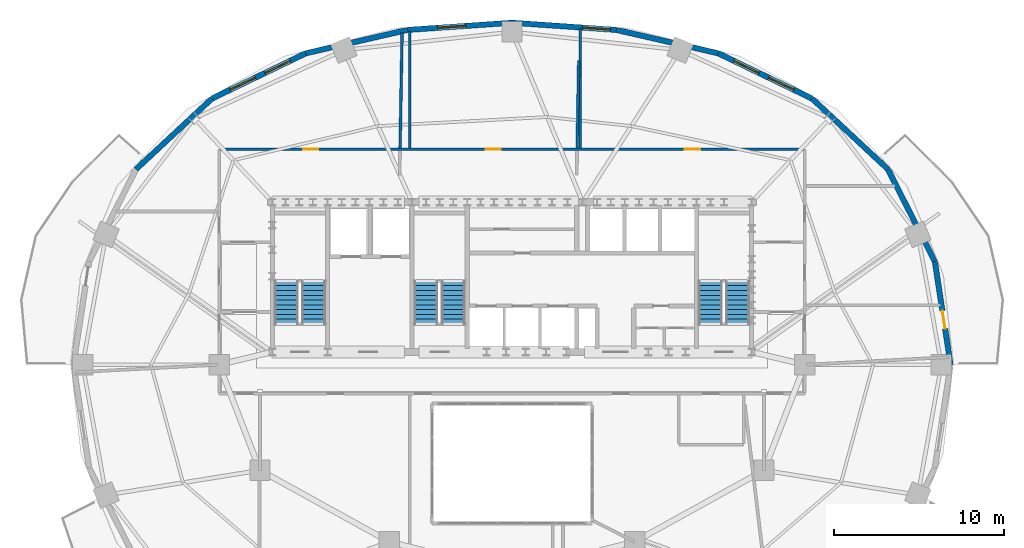
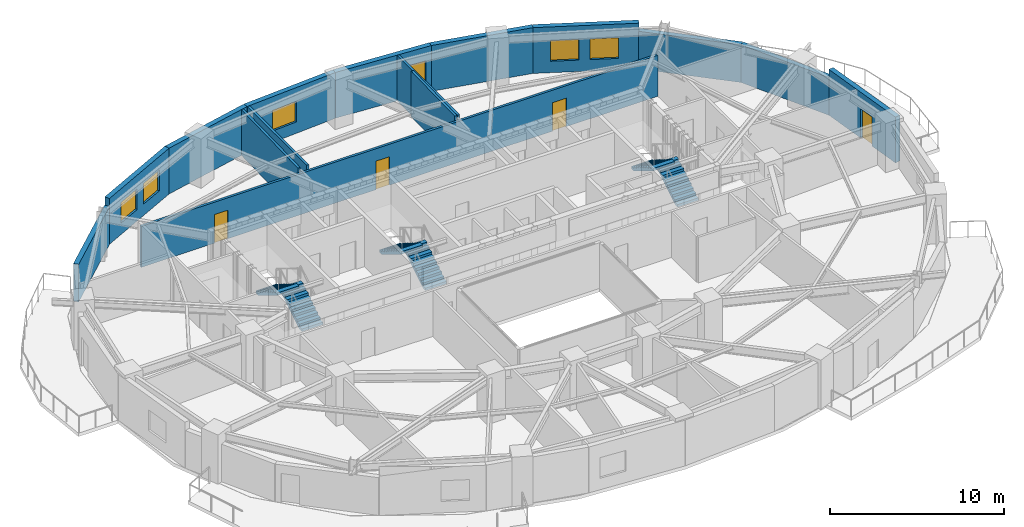
# One storey, part 8 of 11: 15 walls, 6 stair flights, 6 windows, 4 doors, 10 openings, 3 elements without a shape of their own.
"""IFC4 building model written with IfcOpenShell, lengths in metres."""

from ifc_helpers import new_model, si_unit, direction, frame, frame_2d, origin, place, context, subcontext, project, spatial, polyline, rectangle, outline, extrude, material, layer, layer_set, type_object, element, fill, aggregate, save


model = new_model("IFC4")

# Units and contexts
model_context = context("Model", 3, precision=1e-05, world=origin(), true_north=direction((0.0, 1.0)))
body_context = subcontext(model_context, "Body", "Model", "MODEL_VIEW")
ifc_project = project(units=[si_unit("LENGTHUNIT", "METRE"), si_unit("AREAUNIT", "SQUARE_METRE"), si_unit("VOLUMEUNIT", "CUBIC_METRE"), si_unit("PLANEANGLEUNIT", "RADIAN"), si_unit("MASSUNIT", "GRAM", prefix="KILO")], contexts=[model_context])

# Site, building, storey
site_placement = place(None, origin())
site = spatial("IfcSite", under=ifc_project, at=site_placement, CompositionType="ELEMENT")
building_placement = place(site_placement, origin())
building = spatial("IfcBuilding", under=site, at=building_placement, Name="Haldorwick Loom Tower", CompositionType="ELEMENT")
storey_placement = place(building_placement, frame((0.0, 0.0, 168.25)))
storey = spatial("IfcBuildingStorey", under=building, at=storey_placement, Name="L45", CompositionType="ELEMENT", Elevation=168.25)

# Wall, opening, door
ifc_material_1 = material(Name="Pressed Clay Face Brick and Insulated Masonry Backup Assembly", Category="masonry")
ifc_layer_1 = layer(ifc_material_1, 0.320068359375, Name="Pressed Clay Face Brick and Insulated Masonry Backup Assembly", Category="masonry")
ifc_layer_set_1 = layer_set([ifc_layer_1], Name="Pressed Clay Face Brick and Insulated Masonry Backup Assembly")
wall_type_1 = type_object("IfcWallType", Name="ARC-WL-EXT320", PredefinedType="STANDARD", material=ifc_layer_set_1)
wall_1_placement = place(storey_placement, frame((61.757080078125, 26.0, 0.0), z_axis=(0.0, 0.0, 1.0), x_axis=(-0.150544467684, 0.988603238539, 0.0)))
wall_1 = element("IfcWall", 1, at=wall_1_placement, inside=storey, type_object=wall_type_1, Name="L45 Brick Pier and Spandrel Wall 1", PredefinedType="STANDARD", context=body_context, shape_type="SweptSolid", body=[
    extrude(rectangle(XDim=6.125244140625, YDim=0.320068359375, at=frame_2d((3.0625, 0.0))), origin(), (0.0, 0.0, 1.0), 3.2099609375),
])
opening_1_placement = place(wall_1_placement, frame((2.1337890625, 0.0, 0.0)))
opening_1 = element("IfcOpeningElement", 2, at=opening_1_placement, cuts=wall_1, Name="Opening D-BL11", PredefinedType="OPENING", context=body_context, shape_type="SweptSolid", body=[
    extrude(rectangle(XDim=1.080078125, YDim=2.0400390625, at=frame_2d((0.5400390625, 1.02001953125))), frame((0.0, 0.169921875, 0.0), z_axis=(0.0, -1.0, 0.0), x_axis=(1.0, 0.0, 0.0)), (0.0, 0.0, 1.0), 0.340087890625),
])
ifc_material_2 = material(Name="Thermally Broken Anodized Aluminium Curtain Wall Framing", Category="aluminium")
door_type_1 = type_object("IfcDoorType", Name="ARC-DR-BAL110", OperationType="NOTDEFINED", PredefinedType="DOOR", material=ifc_material_2)
door_1_placement = place(opening_1_placement, origin())
door_1 = element("IfcDoor", 3, at=door_1_placement, inside=storey, type_object=door_type_1, Name="L45 Outdoor Terrace Door SLB-L45-BAL_ENE", OperationType="SINGLE_SWING_RIGHT", OverallHeight=2.0400390625, OverallWidth=1.080078125, PredefinedType="DOOR", context=body_context, shape_type="SweptSolid", body=[
    extrude(rectangle(XDim=1.080078125, YDim=2.0400390625, at=frame_2d((0.5400390625, 1.02001953125))), frame((0.0, 0.02490234375, 0.0), z_axis=(0.0, -1.0, 0.0), x_axis=(1.0, 0.0, 0.0)), (0.0, 0.0, 1.0), 0.050048828125),
])
fill(opening_1, door_1)

# Walls
wall_2_placement = place(storey_placement, frame((60.8349609375, 32.055419921875, 0.0), z_axis=(0.0, 0.0, 1.0), x_axis=(-0.453172129629, 0.89142303141, 0.0)))
element("IfcWall", 4, at=wall_2_placement, inside=storey, type_object=wall_type_1, Name="L45 Brick Pier and Spandrel Wall 2", PredefinedType="STANDARD", context=body_context, shape_type="SweptSolid", body=[
    extrude(rectangle(XDim=6.086669921875, YDim=0.320068359375, at=frame_2d((3.04345703125, 0.0))), origin(), (0.0, 0.0, 1.0), 2.64111328125),
])
wall_3_placement = place(storey_placement, frame((58.07666015625, 37.481201171875, 0.0), z_axis=(0.0, 0.0, 1.0), x_axis=(-0.732001571644, 0.681302942244, 0.0)))
element("IfcWall", 5, at=wall_3_placement, inside=storey, type_object=wall_type_1, Name="L45 Brick Pier and Spandrel Wall 3", PredefinedType="STANDARD", context=body_context, shape_type="SweptSolid", body=[
    extrude(rectangle(XDim=6.0869140625, YDim=0.320068359375, at=frame_2d((3.04345703125, 0.0))), origin(), (0.0, 0.0, 1.0), 2.64111328125),
])

# Wall, openings, windows
wall_4_placement = place(storey_placement, frame((53.62109375, 41.628173828125, 0.0), z_axis=(0.0, 0.0, 1.0), x_axis=(-0.900472429216, 0.43491309962, 0.0)))
wall_4 = element("IfcWall", 6, at=wall_4_placement, inside=storey, type_object=wall_type_1, Name="L45 Brick Pier and Spandrel Wall 4", PredefinedType="STANDARD", context=body_context, shape_type="SweptSolid", body=[
    extrude(rectangle(XDim=6.1181640625, YDim=0.320068359375, at=frame_2d((3.05908203125, 0.0))), origin(), (0.0, 0.0, 1.0), 3.2099609375),
])
opening_2_placement = place(wall_4_placement, frame((1.181884765625, 0.0, 0.800048828125)))
opening_2 = element("IfcOpeningElement", 7, at=opening_2_placement, cuts=wall_4, Name="Opening W-01B", PredefinedType="OPENING", context=body_context, shape_type="SweptSolid", body=[
    extrude(rectangle(XDim=1.64990234375, YDim=1.449951171875, at=frame_2d((0.824951171875, 0.72509765625))), frame((0.0, 0.169921875, 0.0), z_axis=(0.0, -1.0, 0.0), x_axis=(1.0, 0.0, 0.0)), (0.0, 0.0, 1.0), 0.340087890625),
])
opening_3_placement = place(wall_4_placement, frame((3.4580078125, 0.0, 0.800048828125)))
opening_3 = element("IfcOpeningElement", 8, at=opening_3_placement, cuts=wall_4, Name="Opening W-01B", PredefinedType="OPENING", context=body_context, shape_type="SweptSolid", body=[
    extrude(rectangle(XDim=1.64990234375, YDim=1.449951171875, at=frame_2d((0.824951171875, 0.72509765625))), frame((0.0, 0.169921875, 0.0), z_axis=(0.0, -1.0, 0.0), x_axis=(1.0, 0.0, 0.0)), (0.0, 0.0, 1.0), 0.340087890625),
])
ifc_material_3 = material(Name="Triple-Glazed Low-E Argon Insulated Glazing Unit", Category="glass")
window_type = type_object("IfcWindowType", Name="ARC-WIN-W165", PartitioningType="SINGLE_PANEL", PredefinedType="WINDOW", material=ifc_material_3)
window_1_placement = place(opening_2_placement, origin())
window_1 = element("IfcWindow", 9, at=window_1_placement, inside=storey, type_object=window_type, Name="L45 Deep-Set Zone 7A Window 4", OverallHeight=1.449951171875, OverallWidth=1.64990234375, PartitioningType="SINGLE_PANEL", PredefinedType="WINDOW", context=body_context, shape_type="SweptSolid", body=[
    extrude(rectangle(XDim=1.64990234375, YDim=1.449951171875, at=frame_2d((0.824951171875, 0.72509765625))), frame((0.0, 0.030029296875, 0.0), z_axis=(0.0, -1.0, 0.0), x_axis=(1.0, 0.0, 0.0)), (0.0, 0.0, 1.0), 0.06005859375),
])
fill(opening_2, window_1)
window_2_placement = place(opening_3_placement, origin())
window_2 = element("IfcWindow", 10, at=window_2_placement, inside=storey, type_object=window_type, Name="L45 Deep-Set Zone 7A Window 4", OverallHeight=1.449951171875, OverallWidth=1.64990234375, PartitioningType="SINGLE_PANEL", PredefinedType="WINDOW", context=body_context, shape_type="SweptSolid", body=[
    extrude(rectangle(XDim=1.64990234375, YDim=1.449951171875, at=frame_2d((0.824951171875, 0.72509765625))), frame((0.0, 0.030029296875, 0.0), z_axis=(0.0, -1.0, 0.0), x_axis=(1.0, 0.0, 0.0)), (0.0, 0.0, 1.0), 0.06005859375),
])
fill(opening_3, window_2)

# Wall
wall_5_placement = place(storey_placement, frame((48.11181640625, 44.2890625, 0.0), z_axis=(0.0, 0.0, 1.0), x_axis=(-0.974593223547, 0.223982250674, 0.0)))
element("IfcWall", 11, at=wall_5_placement, inside=storey, type_object=wall_type_1, Name="L45 Brick Pier and Spandrel Wall 5", PredefinedType="STANDARD", context=body_context, shape_type="SweptSolid", body=[
    extrude(rectangle(XDim=6.138916015625, YDim=0.320068359375, at=frame_2d((3.0693359375, 0.0))), origin(), (0.0, 0.0, 1.0), 3.2099609375),
])

# Wall, opening, window
wall_6_placement = place(storey_placement, frame((42.12890625, 45.6640625, 0.0), z_axis=(0.0, 0.0, 1.0), x_axis=(-0.997652942988, 0.068473391522, 0.0)))
wall_6 = element("IfcWall", 12, at=wall_6_placement, inside=storey, type_object=wall_type_1, Name="L45 Brick Pier and Spandrel Wall 6", PredefinedType="STANDARD", context=body_context, shape_type="SweptSolid", body=[
    extrude(rectangle(XDim=6.143310546875, YDim=0.320068359375, at=frame_2d((3.07177734375, 0.0))), origin(), (0.0, 0.0, 1.0), 3.2099609375),
])
opening_4_placement = place(wall_6_placement, frame((0.340087890625, 0.0, 0.800048828125)))
opening_4 = element("IfcOpeningElement", 13, at=opening_4_placement, cuts=wall_6, Name="Opening W-01B", PredefinedType="OPENING", context=body_context, shape_type="SweptSolid", body=[
    extrude(rectangle(XDim=1.64990234375, YDim=1.449951171875, at=frame_2d((0.824951171875, 0.72509765625))), frame((0.0, 0.169921875, 0.0), z_axis=(0.0, -1.0, 0.0), x_axis=(1.0, 0.0, 0.0)), (0.0, 0.0, 1.0), 0.340087890625),
])
window_3_placement = place(opening_4_placement, origin())
window_3 = element("IfcWindow", 14, at=window_3_placement, inside=storey, type_object=window_type, Name="L45 Deep-Set Zone 7A Window 6", OverallHeight=1.449951171875, OverallWidth=1.64990234375, PartitioningType="SINGLE_PANEL", PredefinedType="WINDOW", context=body_context, shape_type="SweptSolid", body=[
    extrude(rectangle(XDim=1.64990234375, YDim=1.449951171875, at=frame_2d((0.824951171875, 0.72509765625))), frame((0.0, 0.030029296875, 0.0), z_axis=(0.0, -1.0, 0.0), x_axis=(1.0, 0.0, 0.0)), (0.0, 0.0, 1.0), 0.06005859375),
])
fill(opening_4, window_3)

wall_7_placement = place(storey_placement, frame((36.0, 46.084716796875, 0.0), z_axis=(0.0, 0.0, 1.0), x_axis=(-0.997652942988, -0.068473391522, 0.0)))
wall_7 = element("IfcWall", 15, at=wall_7_placement, inside=storey, type_object=wall_type_1, Name="L45 Brick Pier and Spandrel Wall 7", PredefinedType="STANDARD", context=body_context, shape_type="SweptSolid", body=[
    extrude(rectangle(XDim=6.143310546875, YDim=0.320068359375, at=frame_2d((3.07177734375, 0.0))), origin(), (0.0, 0.0, 1.0), 3.2099609375),
])
opening_5_placement = place(wall_7_placement, frame((2.723388671875, 0.0, 0.800048828125)))
opening_5 = element("IfcOpeningElement", 16, at=opening_5_placement, cuts=wall_7, Name="Opening W-01B", PredefinedType="OPENING", context=body_context, shape_type="SweptSolid", body=[
    extrude(rectangle(XDim=1.64990234375, YDim=1.449951171875, at=frame_2d((0.824951171875, 0.72509765625))), frame((0.0, 0.169921875, 0.0), z_axis=(0.0, -1.0, 0.0), x_axis=(1.0, 0.0, 0.0)), (0.0, 0.0, 1.0), 0.340087890625),
])
window_4_placement = place(opening_5_placement, origin())
window_4 = element("IfcWindow", 17, at=window_4_placement, inside=storey, type_object=window_type, Name="L45 Deep-Set Zone 7A Window 7", OverallHeight=1.449951171875, OverallWidth=1.64990234375, PartitioningType="SINGLE_PANEL", PredefinedType="WINDOW", context=body_context, shape_type="SweptSolid", body=[
    extrude(rectangle(XDim=1.64990234375, YDim=1.449951171875, at=frame_2d((0.824951171875, 0.72509765625))), frame((0.0, 0.030029296875, 0.0), z_axis=(0.0, -1.0, 0.0), x_axis=(1.0, 0.0, 0.0)), (0.0, 0.0, 1.0), 0.06005859375),
])
fill(opening_5, window_4)

# Wall
wall_8_placement = place(storey_placement, frame((29.87109375, 45.6640625, 0.0), z_axis=(0.0, 0.0, 1.0), x_axis=(-0.974593223547, -0.223982250674, 0.0)))
element("IfcWall", 18, at=wall_8_placement, inside=storey, type_object=wall_type_1, Name="L45 Brick Pier and Spandrel Wall 8", PredefinedType="STANDARD", context=body_context, shape_type="SweptSolid", body=[
    extrude(rectangle(XDim=6.138916015625, YDim=0.320068359375, at=frame_2d((3.0693359375, 0.0))), origin(), (0.0, 0.0, 1.0), 3.2099609375),
])

# Wall, openings, windows
wall_9_placement = place(storey_placement, frame((23.88818359375, 44.2890625, 0.0), z_axis=(0.0, 0.0, 1.0), x_axis=(-0.900479976617, -0.434897472644, 0.0)))
wall_9 = element("IfcWall", 19, at=wall_9_placement, inside=storey, type_object=wall_type_1, Name="L45 Brick Pier and Spandrel Wall 9", PredefinedType="STANDARD", context=body_context, shape_type="SweptSolid", body=[
    extrude(rectangle(XDim=6.118408203125, YDim=0.320068359375, at=frame_2d((3.05908203125, 0.0))), origin(), (0.0, 0.0, 1.0), 3.2099609375),
])
opening_6_placement = place(wall_9_placement, frame((1.010498046875, 0.0, 0.800048828125)))
opening_6 = element("IfcOpeningElement", 20, at=opening_6_placement, cuts=wall_9, Name="Opening W-01B", PredefinedType="OPENING", context=body_context, shape_type="SweptSolid", body=[
    extrude(rectangle(XDim=1.64990234375, YDim=1.449951171875, at=frame_2d((0.824951171875, 0.72509765625))), frame((0.0, 0.169921875, 0.0), z_axis=(0.0, -1.0, 0.0), x_axis=(1.0, 0.0, 0.0)), (0.0, 0.0, 1.0), 0.340087890625),
])
opening_7_placement = place(wall_9_placement, frame((3.28662109375, 0.0, 0.800048828125)))
opening_7 = element("IfcOpeningElement", 21, at=opening_7_placement, cuts=wall_9, Name="Opening W-01B", PredefinedType="OPENING", context=body_context, shape_type="SweptSolid", body=[
    extrude(rectangle(XDim=1.64990234375, YDim=1.449951171875, at=frame_2d((0.824951171875, 0.72509765625))), frame((0.0, 0.169921875, 0.0), z_axis=(0.0, -1.0, 0.0), x_axis=(1.0, 0.0, 0.0)), (0.0, 0.0, 1.0), 0.340087890625),
])
window_5_placement = place(opening_6_placement, origin())
window_5 = element("IfcWindow", 22, at=window_5_placement, inside=storey, type_object=window_type, Name="L45 Deep-Set Zone 7A Window 9", OverallHeight=1.449951171875, OverallWidth=1.64990234375, PartitioningType="SINGLE_PANEL", PredefinedType="WINDOW", context=body_context, shape_type="SweptSolid", body=[
    extrude(rectangle(XDim=1.64990234375, YDim=1.449951171875, at=frame_2d((0.824951171875, 0.72509765625))), frame((0.0, 0.030029296875, 0.0), z_axis=(0.0, -1.0, 0.0), x_axis=(1.0, 0.0, 0.0)), (0.0, 0.0, 1.0), 0.06005859375),
])
fill(opening_6, window_5)
window_6_placement = place(opening_7_placement, origin())
window_6 = element("IfcWindow", 23, at=window_6_placement, inside=storey, type_object=window_type, Name="L45 Deep-Set Zone 7A Window 9", OverallHeight=1.449951171875, OverallWidth=1.64990234375, PartitioningType="SINGLE_PANEL", PredefinedType="WINDOW", context=body_context, shape_type="SweptSolid", body=[
    extrude(rectangle(XDim=1.64990234375, YDim=1.449951171875, at=frame_2d((0.824951171875, 0.72509765625))), frame((0.0, 0.030029296875, 0.0), z_axis=(0.0, -1.0, 0.0), x_axis=(1.0, 0.0, 0.0)), (0.0, 0.0, 1.0), 0.06005859375),
])
fill(opening_7, window_6)

# Wall
wall_10_placement = place(storey_placement, frame((18.378662109375, 41.628173828125, 0.0), z_axis=(0.0, 0.0, 1.0), x_axis=(-0.731982952968, -0.681322945866, 0.0)))
element("IfcWall", 24, at=wall_10_placement, inside=storey, type_object=wall_type_1, Name="L45 Brick Pier and Spandrel Wall 10", PredefinedType="STANDARD", context=body_context, shape_type="SweptSolid", body=[
    extrude(rectangle(XDim=6.086669921875, YDim=0.320068359375, at=frame_2d((3.04345703125, 0.0))), origin(), (0.0, 0.0, 1.0), 2.64111328125),
])

# Wall, openings, doors
ifc_material_4 = material(Name="Fire-Rated Type X Gypsum Stud Assembly EI 60")
ifc_layer_2 = layer(ifc_material_4, 0.159912109375, Name="Fire-Rated Type X Gypsum Stud Assembly EI 60")
ifc_layer_set_2 = layer_set([ifc_layer_2], Name="Fire-Rated Type X Gypsum Stud Assembly EI 60")
wall_type_2 = type_object("IfcWallType", Name="ARC-WL-FIRE160", PredefinedType="PARTITIONING", material=ifc_layer_set_2)
wall_11_placement = place(storey_placement, frame((18.883056640625, 38.64990234375, 0.0), z_axis=(0.0, 0.0, 1.0), x_axis=(1.0, 0.0, 0.0)))
wall_11 = element("IfcWall", 25, at=wall_11_placement, inside=storey, type_object=wall_type_2, Name="L45 Residential Fire Partition L45-CR-N0", PredefinedType="PARTITIONING", context=body_context, shape_type="SweptSolid", body=[
    extrude(rectangle(XDim=34.23388671875, YDim=0.159912109375, at=frame_2d((17.116943359375, 0.0))), origin(), (0.0, 0.0, 1.0), 2.8720703125),
])
opening_8_placement = place(wall_11_placement, frame((27.2685546875, 0.0, 0.0)))
opening_8 = element("IfcOpeningElement", 26, at=opening_8_placement, cuts=wall_11, Name="Opening D-FD60A", PredefinedType="OPENING", context=body_context, shape_type="SweptSolid", body=[
    extrude(rectangle(XDim=0.89990234375, YDim=2.0, at=frame_2d((0.449951171875, 1.0))), frame((0.0, 0.08984375, 0.0), z_axis=(0.0, -1.0, 0.0), x_axis=(1.0, 0.0, 0.0)), (0.0, 0.0, 1.0), 0.179931640625),
])
opening_9_placement = place(wall_11_placement, frame((4.8505859375, 0.0, 0.0)))
opening_9 = element("IfcOpeningElement", 27, at=opening_9_placement, cuts=wall_11, Name="Opening D-FD60A", PredefinedType="OPENING", context=body_context, shape_type="SweptSolid", body=[
    extrude(rectangle(XDim=0.89990234375, YDim=2.0, at=frame_2d((0.449951171875, 1.0))), frame((0.0, 0.08984375, 0.0), z_axis=(0.0, -1.0, 0.0), x_axis=(1.0, 0.0, 0.0)), (0.0, 0.0, 1.0), 0.179931640625),
])
opening_10_placement = place(wall_11_placement, frame((15.562744140625, 0.0, 0.0)))
opening_10 = element("IfcOpeningElement", 28, at=opening_10_placement, cuts=wall_11, Name="Opening D-FD60A", PredefinedType="OPENING", context=body_context, shape_type="SweptSolid", body=[
    extrude(rectangle(XDim=0.89990234375, YDim=2.0, at=frame_2d((0.449951171875, 1.0))), frame((0.0, 0.08984375, 0.0), z_axis=(0.0, -1.0, 0.0), x_axis=(1.0, 0.0, 0.0)), (0.0, 0.0, 1.0), 0.179931640625),
])
ifc_material_5 = material(Name="Hollow Steel Fire Door Assembly", Category="steel")
door_type_2 = type_object("IfcDoorType", Name="ARC-DR-FD60-90", OperationType="NOTDEFINED", PredefinedType="DOOR", material=ifc_material_5)
door_2_placement = place(opening_8_placement, frame((0.89990234375, 0.0, 0.0), z_axis=(0.0, 0.0, 1.0), x_axis=(-1.0, 0.0, 0.0)))
door_2 = element("IfcDoor", 29, at=door_2_placement, inside=storey, type_object=door_type_2, Name="L45 Tenant Seminar Meeting Room 3 to L45 North Residential Corridor Door", OperationType="SINGLE_SWING_LEFT", OverallHeight=2.0, OverallWidth=0.89990234375, PredefinedType="DOOR", context=body_context, shape_type="SweptSolid", body=[
    extrude(rectangle(XDim=0.89990234375, YDim=2.0, at=frame_2d((0.449951171875, 1.0))), frame((0.0, 0.02490234375, 0.0), z_axis=(0.0, -1.0, 0.0), x_axis=(1.0, 0.0, 0.0)), (0.0, 0.0, 1.0), 0.050048828125),
])
fill(opening_8, door_2)
door_3_placement = place(opening_9_placement, frame((0.89990234375, 0.0, 0.0), z_axis=(0.0, 0.0, 1.0), x_axis=(-1.0, 0.0, 0.0)))
door_3 = element("IfcDoor", 30, at=door_3_placement, inside=storey, type_object=door_type_2, Name="L45 Tenant Seminar Meeting Room 2 to L45 North Residential Corridor Door", OperationType="SINGLE_SWING_RIGHT", OverallHeight=2.0, OverallWidth=0.89990234375, PredefinedType="DOOR", context=body_context, shape_type="SweptSolid", body=[
    extrude(rectangle(XDim=0.89990234375, YDim=2.0, at=frame_2d((0.449951171875, 1.0))), frame((0.0, 0.02490234375, 0.0), z_axis=(0.0, -1.0, 0.0), x_axis=(1.0, 0.0, 0.0)), (0.0, 0.0, 1.0), 0.050048828125),
])
fill(opening_9, door_3)
door_4_placement = place(opening_10_placement, frame((0.89990234375, 0.0, 0.0), z_axis=(0.0, 0.0, 1.0), x_axis=(-1.0, 0.0, 0.0)))
door_4 = element("IfcDoor", 31, at=door_4_placement, inside=storey, type_object=door_type_2, Name="L45 Tenant Seminar Meeting Room 4 to L45 North Residential Corridor Door", OperationType="SINGLE_SWING_LEFT", OverallHeight=2.0, OverallWidth=0.89990234375, PredefinedType="DOOR", context=body_context, shape_type="SweptSolid", body=[
    extrude(rectangle(XDim=0.89990234375, YDim=2.0, at=frame_2d((0.449951171875, 1.0))), frame((0.0, 0.02490234375, 0.0), z_axis=(0.0, -1.0, 0.0), x_axis=(1.0, 0.0, 0.0)), (0.0, 0.0, 1.0), 0.050048828125),
])
fill(opening_10, door_4)

# Walls
wall_12_placement = place(storey_placement, frame((30.0, 38.73291015625, 0.0), z_axis=(0.0, 0.0, 1.0), x_axis=(0.0, 1.0, 0.0)))
element("IfcWall", 32, at=wall_12_placement, inside=storey, type_object=wall_type_2, Name="L45 Residential Fire Partition L45-NBP-0", PredefinedType="PARTITIONING", context=body_context, shape_type="SweptSolid", body=[
    extrude(rectangle(XDim=6.874755859375, YDim=0.159912109375, at=frame_2d((3.4375, 0.0))), origin(), (0.0, 0.0, 1.0), 3.195068359375),
])
wall_13_placement = place(storey_placement, frame((40.0, 38.73291015625, 0.0), z_axis=(0.0, 0.0, 1.0), x_axis=(0.0, 1.0, 0.0)))
element("IfcWall", 33, at=wall_13_placement, inside=storey, type_object=wall_type_2, Name="L45 Residential Fire Partition L45-NBP-1", PredefinedType="PARTITIONING", context=body_context, shape_type="SweptSolid", body=[
    extrude(rectangle(XDim=7.011962890625, YDim=0.159912109375, at=frame_2d((3.505859375, 0.0))), origin(), (0.0, 0.0, 1.0), 3.195068359375),
])
wall_14_placement = place(storey_placement, frame((29.427490234375, 38.73291015625, 0.0), z_axis=(0.0, 0.0, 1.0), x_axis=(0.017401176434, 0.999848588067, 0.0)))
element("IfcWall", 34, at=wall_14_placement, inside=storey, type_object=wall_type_2, Name="L45 Residential Fire Partition L45-UPN-12", PredefinedType="PARTITIONING", context=body_context, shape_type="SweptSolid", body=[
    extrude(rectangle(XDim=6.79052734375, YDim=0.159912109375, at=frame_2d((3.395263671875, 0.0))), origin(), (0.0, 0.0, 1.0), 3.195068359375),
])
wall_15_placement = place(storey_placement, frame((39.827392578125, 38.73291015625, 0.0), z_axis=(0.0, 0.0, 1.0), x_axis=(0.017408054836, 0.999848468332, 0.0)))
element("IfcWall", 35, at=wall_15_placement, inside=storey, type_object=wall_type_2, Name="L45 Residential Fire Partition L45-UPN-13", PredefinedType="PARTITIONING", context=body_context, shape_type="SweptSolid", body=[
    extrude(rectangle(XDim=5.14697265625, YDim=0.159912109375, at=frame_2d((2.573486328125, 0.0))), origin(), (0.0, 0.0, 1.0), 3.195068359375),
])

# Stair, stair flights
ifc_material_6 = material(Name="Concrete C40 (40 MPa)", Category="concrete")
stair_type = type_object("IfcStairType", Name="STR-STR-CORE", PredefinedType="HALF_TURN_STAIR", material=ifc_material_6)
stair_1_placement = place(storey_placement, origin())
stair_1 = element("IfcStair", 36, at=stair_1_placement, inside=storey, type_object=stair_type, Name="L45 Exit Stair ST-01", PredefinedType="HALF_TURN_STAIR")
stair_flight_type = type_object("IfcStairFlightType", Name="STR-STF-1250", PredefinedType="STRAIGHT", material=ifc_material_6)
stair_flight_1_placement = place(storey_placement, frame((24.35009765625, 28.39990234375, 0.0), z_axis=(0.0, 0.0, 1.0), x_axis=(0.0, 1.0, 0.0)))
stair_flight_1 = element("IfcStairFlight", 37, at=stair_flight_1_placement, type_object=stair_flight_type, Name="ST-01 flight 1", NumberOfRisers=10, NumberOfTreads=9, PredefinedType="STRAIGHT", RiserHeight=0.1725, TreadLength=0.28, context=body_context, shape_type="SweptSolid", body=[
    extrude(outline(polyline([(0.0, 0.0), (0.0, 0.172607421875), (0.280029296875, 0.172607421875), (0.280029296875, 0.344970703125), (0.56005859375, 0.344970703125), (0.56005859375, 0.517578125), (0.840087890625, 0.517578125), (0.840087890625, 0.68994140625), (1.1201171875, 0.68994140625), (1.1201171875, 0.862548828125), (1.39990234375, 0.862548828125), (1.39990234375, 1.034912109375), (1.679931640625, 1.034912109375), (1.679931640625, 1.20751953125), (1.9599609375, 1.20751953125), (1.9599609375, 1.3798828125), (2.239990234375, 1.3798828125), (2.239990234375, 1.552490234375), (2.52001953125, 1.552490234375), (2.52001953125, 1.72509765625), (2.52001953125, 1.37646484375), (0.285888671875, 0.0), (0.0, 0.0)])), frame((0.0, 0.699951171875, 0.0), z_axis=(0.0, -1.0, 0.0), x_axis=(1.0, 0.0, 0.0)), (0.0, 0.0, 1.0), 1.39990234375),
])
stair_flight_2_placement = place(storey_placement, frame((22.75, 30.919921875, 1.72509765625), z_axis=(0.0, 0.0, 1.0), x_axis=(0.0, -1.0, 0.0)))
stair_flight_2 = element("IfcStairFlight", 38, at=stair_flight_2_placement, type_object=stair_flight_type, Name="ST-01 flight 2", NumberOfRisers=10, NumberOfTreads=9, PredefinedType="STRAIGHT", RiserHeight=0.1725, TreadLength=0.28, context=body_context, shape_type="SweptSolid", body=[
    extrude(outline(polyline([(0.0, 0.0), (0.0, 0.172607421875), (0.280029296875, 0.172607421875), (0.280029296875, 0.344970703125), (0.56005859375, 0.344970703125), (0.56005859375, 0.517578125), (0.840087890625, 0.517578125), (0.840087890625, 0.68994140625), (1.1201171875, 0.68994140625), (1.1201171875, 0.862548828125), (1.39990234375, 0.862548828125), (1.39990234375, 1.034912109375), (1.679931640625, 1.034912109375), (1.679931640625, 1.20751953125), (1.9599609375, 1.20751953125), (1.9599609375, 1.3798828125), (2.239990234375, 1.3798828125), (2.239990234375, 1.552490234375), (2.52001953125, 1.552490234375), (2.52001953125, 1.72509765625), (2.52001953125, 1.37646484375), (0.285888671875, 0.0), (0.0, 0.0)])), frame((0.0, 0.699951171875, 0.0), z_axis=(0.0, -1.0, 0.0), x_axis=(1.0, 0.0, 0.0)), (0.0, 0.0, 1.0), 1.39990234375),
])
aggregate(stair_1, [stair_flight_1, stair_flight_2])

stair_2_placement = place(storey_placement, origin())
stair_2 = element("IfcStair", 39, at=stair_2_placement, inside=storey, type_object=stair_type, Name="L45 Exit Stair ST-02", PredefinedType="HALF_TURN_STAIR")
stair_flight_3_placement = place(storey_placement, frame((49.25, 28.39990234375, 0.0), z_axis=(0.0, 0.0, 1.0), x_axis=(0.0, 1.0, 0.0)))
stair_flight_3 = element("IfcStairFlight", 40, at=stair_flight_3_placement, type_object=stair_flight_type, Name="ST-02 flight 1", NumberOfRisers=10, NumberOfTreads=9, PredefinedType="STRAIGHT", RiserHeight=0.1725, TreadLength=0.28, context=body_context, shape_type="SweptSolid", body=[
    extrude(outline(polyline([(0.0, 0.0), (0.0, 0.172607421875), (0.280029296875, 0.172607421875), (0.280029296875, 0.344970703125), (0.56005859375, 0.344970703125), (0.56005859375, 0.517578125), (0.840087890625, 0.517578125), (0.840087890625, 0.68994140625), (1.1201171875, 0.68994140625), (1.1201171875, 0.862548828125), (1.39990234375, 0.862548828125), (1.39990234375, 1.034912109375), (1.679931640625, 1.034912109375), (1.679931640625, 1.20751953125), (1.9599609375, 1.20751953125), (1.9599609375, 1.3798828125), (2.239990234375, 1.3798828125), (2.239990234375, 1.552490234375), (2.52001953125, 1.552490234375), (2.52001953125, 1.72509765625), (2.52001953125, 1.37646484375), (0.285888671875, 0.0), (0.0, 0.0)])), frame((0.0, 0.699951171875, 0.0), z_axis=(0.0, -1.0, 0.0), x_axis=(1.0, 0.0, 0.0)), (0.0, 0.0, 1.0), 1.39990234375),
])
stair_flight_4_placement = place(storey_placement, frame((47.64990234375, 30.919921875, 1.72509765625), z_axis=(0.0, 0.0, 1.0), x_axis=(0.0, -1.0, 0.0)))
stair_flight_4 = element("IfcStairFlight", 41, at=stair_flight_4_placement, type_object=stair_flight_type, Name="ST-02 flight 2", NumberOfRisers=10, NumberOfTreads=9, PredefinedType="STRAIGHT", RiserHeight=0.1725, TreadLength=0.28, context=body_context, shape_type="SweptSolid", body=[
    extrude(outline(polyline([(0.0, 0.0), (0.0, 0.172607421875), (0.280029296875, 0.172607421875), (0.280029296875, 0.344970703125), (0.56005859375, 0.344970703125), (0.56005859375, 0.517578125), (0.840087890625, 0.517578125), (0.840087890625, 0.68994140625), (1.1201171875, 0.68994140625), (1.1201171875, 0.862548828125), (1.39990234375, 0.862548828125), (1.39990234375, 1.034912109375), (1.679931640625, 1.034912109375), (1.679931640625, 1.20751953125), (1.9599609375, 1.20751953125), (1.9599609375, 1.3798828125), (2.239990234375, 1.3798828125), (2.239990234375, 1.552490234375), (2.52001953125, 1.552490234375), (2.52001953125, 1.72509765625), (2.52001953125, 1.37646484375), (0.285888671875, 0.0), (0.0, 0.0)])), frame((0.0, 0.699951171875, 0.0), z_axis=(0.0, -1.0, 0.0), x_axis=(1.0, 0.0, 0.0)), (0.0, 0.0, 1.0), 1.39990234375),
])
aggregate(stair_2, [stair_flight_3, stair_flight_4])

stair_3_placement = place(storey_placement, origin())
stair_3 = element("IfcStair", 42, at=stair_3_placement, inside=storey, type_object=stair_type, Name="L45 Exit Stair ST-03", PredefinedType="HALF_TURN_STAIR")
stair_flight_5_placement = place(storey_placement, frame((32.550048828125, 28.39990234375, 0.0), z_axis=(0.0, 0.0, 1.0), x_axis=(0.0, 1.0, 0.0)))
stair_flight_5 = element("IfcStairFlight", 43, at=stair_flight_5_placement, type_object=stair_flight_type, Name="ST-03 flight 1", NumberOfRisers=10, NumberOfTreads=9, PredefinedType="STRAIGHT", RiserHeight=0.1725, TreadLength=0.28, context=body_context, shape_type="SweptSolid", body=[
    extrude(outline(polyline([(0.0, 0.0), (0.0, 0.172607421875), (0.280029296875, 0.172607421875), (0.280029296875, 0.344970703125), (0.56005859375, 0.344970703125), (0.56005859375, 0.517578125), (0.840087890625, 0.517578125), (0.840087890625, 0.68994140625), (1.1201171875, 0.68994140625), (1.1201171875, 0.862548828125), (1.39990234375, 0.862548828125), (1.39990234375, 1.034912109375), (1.679931640625, 1.034912109375), (1.679931640625, 1.20751953125), (1.9599609375, 1.20751953125), (1.9599609375, 1.3798828125), (2.239990234375, 1.3798828125), (2.239990234375, 1.552490234375), (2.52001953125, 1.552490234375), (2.52001953125, 1.72509765625), (2.52001953125, 1.37646484375), (0.285888671875, 0.0), (0.0, 0.0)])), frame((0.0, 0.699951171875, 0.0), z_axis=(0.0, -1.0, 0.0), x_axis=(1.0, 0.0, 0.0)), (0.0, 0.0, 1.0), 1.39990234375),
])
stair_flight_6_placement = place(storey_placement, frame((30.949951171875, 30.919921875, 1.72509765625), z_axis=(0.0, 0.0, 1.0), x_axis=(0.0, -1.0, 0.0)))
stair_flight_6 = element("IfcStairFlight", 44, at=stair_flight_6_placement, type_object=stair_flight_type, Name="ST-03 flight 2", NumberOfRisers=10, NumberOfTreads=9, PredefinedType="STRAIGHT", RiserHeight=0.1725, TreadLength=0.28, context=body_context, shape_type="SweptSolid", body=[
    extrude(outline(polyline([(0.0, 0.0), (0.0, 0.172607421875), (0.280029296875, 0.172607421875), (0.280029296875, 0.344970703125), (0.56005859375, 0.344970703125), (0.56005859375, 0.517578125), (0.840087890625, 0.517578125), (0.840087890625, 0.68994140625), (1.1201171875, 0.68994140625), (1.1201171875, 0.862548828125), (1.39990234375, 0.862548828125), (1.39990234375, 1.034912109375), (1.679931640625, 1.034912109375), (1.679931640625, 1.20751953125), (1.9599609375, 1.20751953125), (1.9599609375, 1.3798828125), (2.239990234375, 1.3798828125), (2.239990234375, 1.552490234375), (2.52001953125, 1.552490234375), (2.52001953125, 1.72509765625), (2.52001953125, 1.37646484375), (0.285888671875, 0.0), (0.0, 0.0)])), frame((0.0, 0.699951171875, 0.0), z_axis=(0.0, -1.0, 0.0), x_axis=(1.0, 0.0, 0.0)), (0.0, 0.0, 1.0), 1.39990234375),
])
aggregate(stair_3, [stair_flight_5, stair_flight_6])

save(model, "model.ifc")
